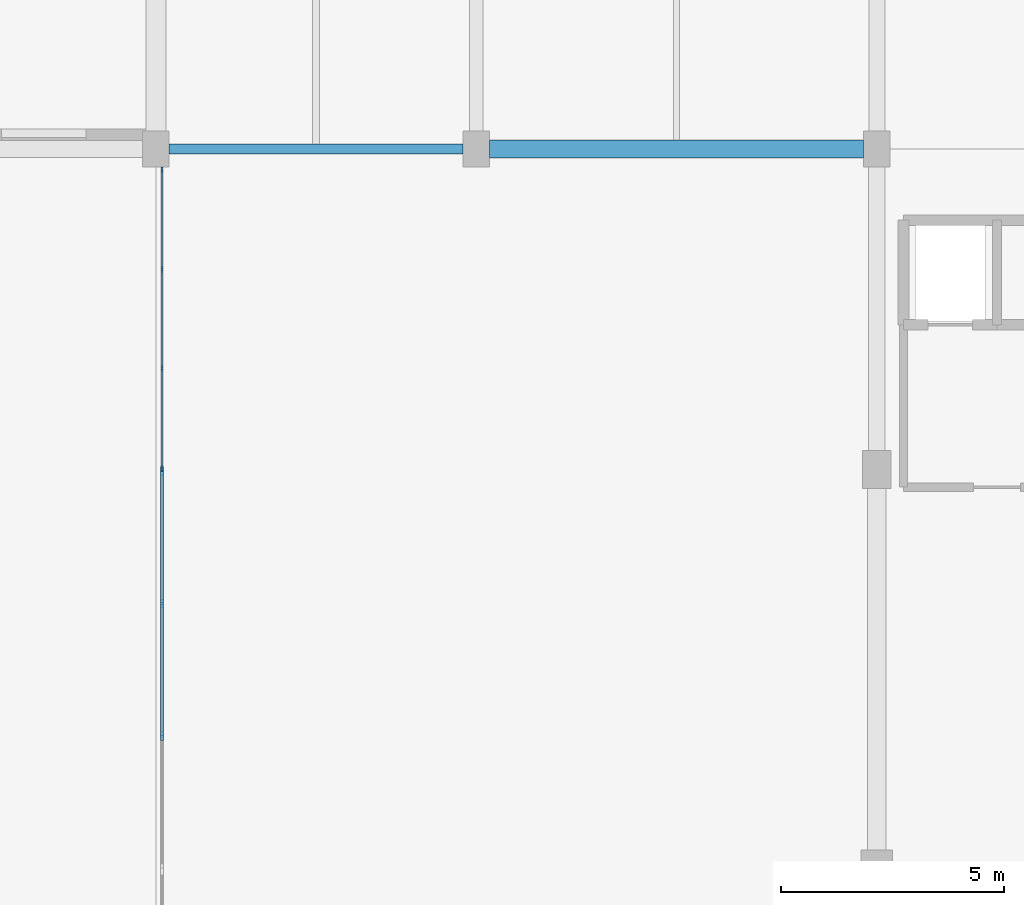
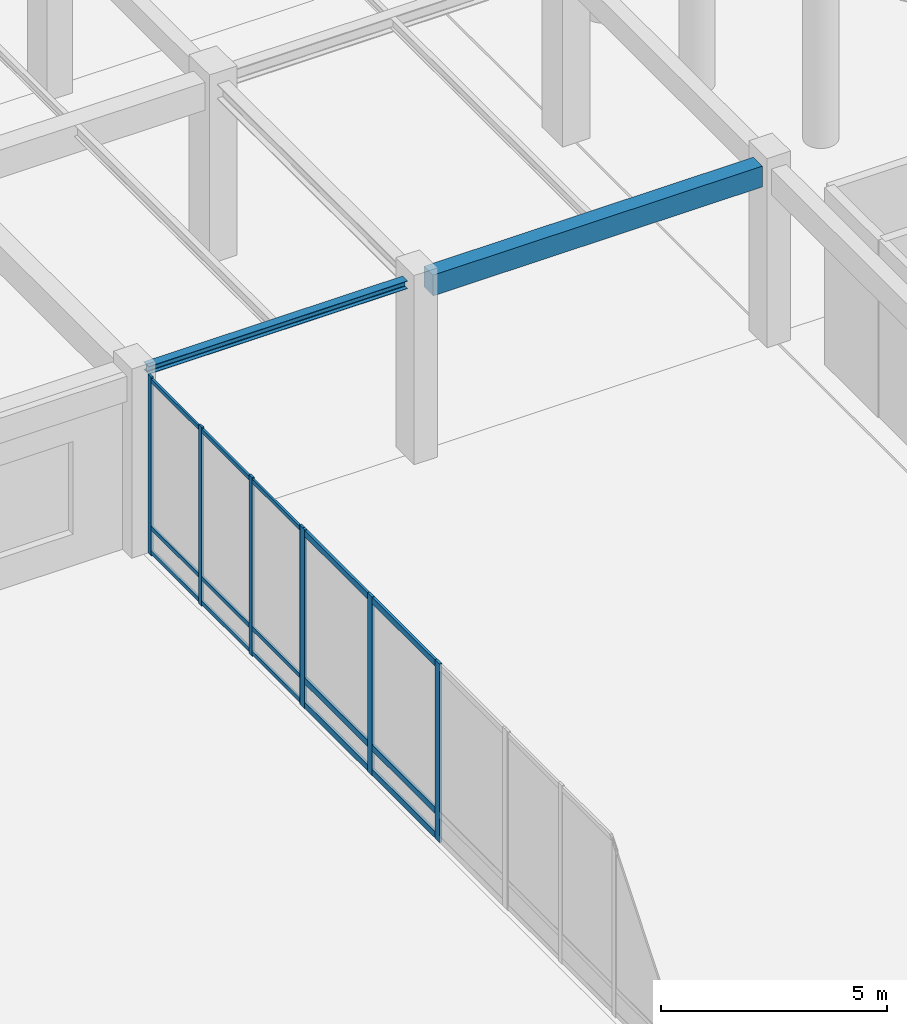
# One storey, part 15 of 64: 22 members, 2 beams, 2 elements without a shape of their own.
"""IFC4 building model written with IfcOpenShell, lengths in metres."""

from ifc_helpers import new_model, si_unit, direction, frame, origin, origin_2d, place, context, subcontext, project, spatial, rectangle, i_section, extrude, material, material_profile, profile_set, type_object, element, aggregate, save


model = new_model("IFC4")

# Units and contexts
model_context = context("Model", 3, precision=1e-05, world=origin(), true_north=direction((0.0, 1.0)))
body_context = subcontext(model_context, "Body", "Model", "MODEL_VIEW")
ifc_project = project(units=[si_unit("LENGTHUNIT", "METRE"), si_unit("AREAUNIT", "SQUARE_METRE"), si_unit("VOLUMEUNIT", "CUBIC_METRE"), si_unit("PLANEANGLEUNIT", "RADIAN"), si_unit("MASSUNIT", "GRAM", prefix="KILO")], contexts=[model_context])

# Site, building, storey
site_placement = place(None, origin())
site = spatial("IfcSite", under=ifc_project, at=site_placement, CompositionType="ELEMENT")
building_placement = place(site_placement, origin())
building = spatial("IfcBuilding", under=site, at=building_placement, Name="Clarverna Civic Hall", CompositionType="ELEMENT")
storey_placement = place(building_placement, origin())
storey = spatial("IfcBuildingStorey", under=building, at=storey_placement, Name="L00", CompositionType="ELEMENT", Elevation=0.0)

# Beams
ifc_material_1 = material(Name="Steel S355", Category="steel")
ifc_material_profile_1 = material_profile(ifc_material_1, i_section(OverallWidth=0.219970703125, OverallDepth=0.2099609375, WebThickness=0.007080078125, FlangeThickness=0.010986328125, FilletRadius=0.01806640625, at=origin_2d()), Name="HEA 220")
ifc_profile_set_1 = profile_set([ifc_material_profile_1], Name="Steel S355")
beam_type_1 = type_object("IfcBeamType", Name="B-LN1", PredefinedType="LINTEL", material=ifc_profile_set_1)
beam_1_placement = place(storey_placement, frame((50.699951171875, 46.39990234375, 4.675048828125), z_axis=(1.0, 0.0, 0.0), x_axis=(0.0, 1.0, 0.0)))
element("IfcBeam", 1, at=beam_1_placement, inside=storey, type_object=beam_type_1, Name="B-LN1-004", PredefinedType="LINTEL", context=body_context, shape_type="SweptSolid", body=[
    extrude(i_section(OverallWidth=0.219970703125, OverallDepth=0.2099609375, WebThickness=0.007080078125, FlangeThickness=0.010986328125, FilletRadius=0.01806640625, at=origin_2d()), origin(), (0.0, 0.0, 1.0), 6.60009765625),
])
ifc_material_2 = material(Name="Concrete C35/45", Category="concrete")
ifc_material_profile_2 = material_profile(ifc_material_2, rectangle(XDim=0.39990234375, YDim=0.56005859375, at=origin_2d()), Name="RC 400x560")
ifc_profile_set_2 = profile_set([ifc_material_profile_2], Name="Concrete C35/45")
beam_type_2 = type_object("IfcBeamType", Name="B-SP4", PredefinedType="SPANDREL", material=ifc_profile_set_2)
beam_2_placement = place(storey_placement, frame((57.89990234375, 46.39990234375, 4.5), z_axis=(1.0, 0.0, 0.0), x_axis=(0.0, 1.0, 0.0)))
element("IfcBeam", 2, at=beam_2_placement, inside=storey, type_object=beam_type_2, Name="B-SP4-036", PredefinedType="SPANDREL", context=body_context, shape_type="SweptSolid", body=[
    extrude(rectangle(XDim=0.39990234375, YDim=0.56005859375, at=origin_2d()), origin(), (0.0, 0.0, 1.0), 8.400146484375),
])

# Curtain wall, members
ifc_material_3 = material(Name="Anodised Bronze Architectural Aluminium", Category="aluminium")
curtain_wall_type = type_object("IfcCurtainWallType", Name="CW-04", PredefinedType="USERDEFINED", material=ifc_material_3)
curtain_wall_1_placement = place(storey_placement, origin())
curtain_wall_1 = element("IfcCurtainWall", 3, at=curtain_wall_1_placement, inside=storey, type_object=curtain_wall_type, Name="CW-04-012", ObjectType="UNITISED CURTAIN WALL", PredefinedType="USERDEFINED")
ifc_material_profile_3 = material_profile(ifc_material_3, rectangle(XDim=0.06494140625, YDim=0.199951171875, at=origin_2d()), Name="BRONZE 65x200")
ifc_profile_set_3 = profile_set([ifc_material_profile_3], Name="Anodised Bronze Architectural Aluminium")
member_type_1 = type_object("IfcMemberType", Name="CWM-03", PredefinedType="MULLION", material=ifc_profile_set_3)
member_1_placement = place(storey_placement, frame((50.5400390625, 33.2109375, 0.0), z_axis=(0.0, 0.0, 1.0), x_axis=(1.0, 0.0, 0.0)))
member_1 = element("IfcMember", 4, at=member_1_placement, type_object=member_type_1, Name="CWM-03-031", PredefinedType="MULLION", context=body_context, shape_type="SweptSolid", body=[
    extrude(rectangle(XDim=0.06494140625, YDim=0.199951171875, at=origin_2d()), origin(), (0.0, 0.0, 1.0), 4.820068359375),
])
member_2_placement = place(storey_placement, frame((50.5400390625, 36.18896484375, 0.0), z_axis=(0.0, 0.0, 1.0), x_axis=(1.0, 0.0, 0.0)))
member_2 = element("IfcMember", 5, at=member_2_placement, type_object=member_type_1, Name="CWM-03-032", PredefinedType="MULLION", context=body_context, shape_type="SweptSolid", body=[
    extrude(rectangle(XDim=0.06494140625, YDim=0.199951171875, at=origin_2d()), origin(), (0.0, 0.0, 1.0), 4.820068359375),
])
member_3_placement = place(storey_placement, frame((50.5400390625, 39.1669921875, 0.0), z_axis=(0.0, 0.0, 1.0), x_axis=(1.0, 0.0, 0.0)))
member_3 = element("IfcMember", 6, at=member_3_placement, type_object=member_type_1, Name="CWM-03-033", PredefinedType="MULLION", context=body_context, shape_type="SweptSolid", body=[
    extrude(rectangle(XDim=0.06494140625, YDim=0.199951171875, at=origin_2d()), origin(), (0.0, 0.0, 1.0), 4.820068359375),
])

curtain_wall_2_placement = place(storey_placement, origin())
curtain_wall_2 = element("IfcCurtainWall", 7, at=curtain_wall_2_placement, inside=storey, type_object=curtain_wall_type, Name="CW-04-013", ObjectType="UNITISED CURTAIN WALL", PredefinedType="USERDEFINED")
ifc_material_profile_4 = material_profile(ifc_material_3, rectangle(XDim=0.054931640625, YDim=0.139892578125, at=origin_2d()), Name="BRONZE 55x140")
ifc_profile_set_4 = profile_set([ifc_material_profile_4], Name="Anodised Bronze Architectural Aluminium")
member_type_2 = type_object("IfcMemberType", Name="CWM-04", PredefinedType="MULLION", material=ifc_profile_set_4)
member_4_placement = place(storey_placement, frame((50.5400390625, 39.23291015625, 0.0), z_axis=(0.0, 0.0, 1.0), x_axis=(1.0, 0.0, 0.0)))
member_4 = element("IfcMember", 8, at=member_4_placement, type_object=member_type_2, Name="CWM-04-031", PredefinedType="MULLION", context=body_context, shape_type="SweptSolid", body=[
    extrude(rectangle(XDim=0.054931640625, YDim=0.139892578125, at=origin_2d()), origin(), (0.0, 0.0, 1.0), 4.820068359375),
])
member_5_placement = place(storey_placement, frame((50.5400390625, 41.46435546875, 0.0), z_axis=(0.0, 0.0, 1.0), x_axis=(1.0, 0.0, 0.0)))
member_5 = element("IfcMember", 9, at=member_5_placement, type_object=member_type_2, Name="CWM-04-032", PredefinedType="MULLION", context=body_context, shape_type="SweptSolid", body=[
    extrude(rectangle(XDim=0.054931640625, YDim=0.139892578125, at=origin_2d()), origin(), (0.0, 0.0, 1.0), 4.820068359375),
])
member_6_placement = place(storey_placement, frame((50.5400390625, 43.69580078125, 0.0), z_axis=(0.0, 0.0, 1.0), x_axis=(1.0, 0.0, 0.0)))
member_6 = element("IfcMember", 10, at=member_6_placement, type_object=member_type_2, Name="CWM-04-033", PredefinedType="MULLION", context=body_context, shape_type="SweptSolid", body=[
    extrude(rectangle(XDim=0.054931640625, YDim=0.139892578125, at=origin_2d()), origin(), (0.0, 0.0, 1.0), 4.820068359375),
])
member_7_placement = place(storey_placement, frame((50.5400390625, 45.927001953125, 0.0), z_axis=(0.0, 0.0, 1.0), x_axis=(1.0, 0.0, 0.0)))
member_7 = element("IfcMember", 11, at=member_7_placement, type_object=member_type_2, Name="CWM-04-034", PredefinedType="MULLION", context=body_context, shape_type="SweptSolid", body=[
    extrude(rectangle(XDim=0.054931640625, YDim=0.139892578125, at=origin_2d()), origin(), (0.0, 0.0, 1.0), 4.820068359375),
])

# Member
ifc_material_profile_5 = material_profile(ifc_material_3, rectangle(XDim=0.06494140625, YDim=0.169921875, at=origin_2d()), Name="BRONZE 65x170")
ifc_profile_set_5 = profile_set([ifc_material_profile_5], Name="Anodised Bronze Architectural Aluminium")
member_type_3 = type_object("IfcMemberType", Name="CWT-03", PredefinedType="USERDEFINED", material=ifc_profile_set_5)
member_8_placement = place(storey_placement, frame((50.5400390625, 33.22607421875, 0.094970703125), z_axis=(0.0, 1.0, 0.0), x_axis=(-1.0, 0.0, 0.0)))
member_8 = element("IfcMember", 12, at=member_8_placement, type_object=member_type_3, Name="CWT-03-064", ObjectType="TRANSOM", PredefinedType="USERDEFINED", context=body_context, shape_type="SweptSolid", body=[
    extrude(rectangle(XDim=0.06494140625, YDim=0.169921875, at=origin_2d()), origin(), (0.0, 0.0, 1.0), 2.947998046875),
])

member_9_placement = place(storey_placement, frame((50.5400390625, 33.22607421875, 0.75), z_axis=(0.0, 1.0, 0.0), x_axis=(-1.0, 0.0, 0.0)))
member_9 = element("IfcMember", 13, at=member_9_placement, type_object=member_type_3, Name="CWT-03-065", ObjectType="TRANSOM", PredefinedType="USERDEFINED", context=body_context, shape_type="SweptSolid", body=[
    extrude(rectangle(XDim=0.06494140625, YDim=0.169921875, at=origin_2d()), origin(), (0.0, 0.0, 1.0), 2.947998046875),
])

member_10_placement = place(storey_placement, frame((50.5400390625, 33.22607421875, 4.72509765625), z_axis=(0.0, 1.0, 0.0), x_axis=(-1.0, 0.0, 0.0)))
member_10 = element("IfcMember", 14, at=member_10_placement, type_object=member_type_3, Name="CWT-03-066", ObjectType="TRANSOM", PredefinedType="USERDEFINED", context=body_context, shape_type="SweptSolid", body=[
    extrude(rectangle(XDim=0.06494140625, YDim=0.169921875, at=origin_2d()), origin(), (0.0, 0.0, 1.0), 2.947998046875),
])

member_11_placement = place(storey_placement, frame((50.5400390625, 36.2041015625, 0.094970703125), z_axis=(0.0, 1.0, 0.0), x_axis=(-1.0, 0.0, 0.0)))
member_11 = element("IfcMember", 15, at=member_11_placement, type_object=member_type_3, Name="CWT-03-067", ObjectType="TRANSOM", PredefinedType="USERDEFINED", context=body_context, shape_type="SweptSolid", body=[
    extrude(rectangle(XDim=0.06494140625, YDim=0.169921875, at=origin_2d()), origin(), (0.0, 0.0, 1.0), 2.947998046875),
])

member_12_placement = place(storey_placement, frame((50.5400390625, 36.2041015625, 0.75), z_axis=(0.0, 1.0, 0.0), x_axis=(-1.0, 0.0, 0.0)))
member_12 = element("IfcMember", 16, at=member_12_placement, type_object=member_type_3, Name="CWT-03-068", ObjectType="TRANSOM", PredefinedType="USERDEFINED", context=body_context, shape_type="SweptSolid", body=[
    extrude(rectangle(XDim=0.06494140625, YDim=0.169921875, at=origin_2d()), origin(), (0.0, 0.0, 1.0), 2.947998046875),
])

member_13_placement = place(storey_placement, frame((50.5400390625, 36.2041015625, 4.72509765625), z_axis=(0.0, 1.0, 0.0), x_axis=(-1.0, 0.0, 0.0)))
member_13 = element("IfcMember", 17, at=member_13_placement, type_object=member_type_3, Name="CWT-03-069", ObjectType="TRANSOM", PredefinedType="USERDEFINED", context=body_context, shape_type="SweptSolid", body=[
    extrude(rectangle(XDim=0.06494140625, YDim=0.169921875, at=origin_2d()), origin(), (0.0, 0.0, 1.0), 2.947998046875),
])

aggregate(curtain_wall_1, [member_1, member_2, member_3, member_8, member_9, member_10, member_11, member_12, member_13])

ifc_material_profile_6 = material_profile(ifc_material_3, rectangle(XDim=0.054931640625, YDim=0.110107421875, at=origin_2d()), Name="BRONZE 55x110")
ifc_profile_set_6 = profile_set([ifc_material_profile_6], Name="Anodised Bronze Architectural Aluminium")
member_type_4 = type_object("IfcMemberType", Name="CWT-04", PredefinedType="USERDEFINED", material=ifc_profile_set_6)
member_14_placement = place(storey_placement, frame((50.5400390625, 39.248046875, 0.094970703125), z_axis=(0.0, 1.0, 0.0), x_axis=(-1.0, 0.0, 0.0)))
member_14 = element("IfcMember", 18, at=member_14_placement, type_object=member_type_4, Name="CWT-04-064", ObjectType="TRANSOM", PredefinedType="USERDEFINED", context=body_context, shape_type="SweptSolid", body=[
    extrude(rectangle(XDim=0.054931640625, YDim=0.110107421875, at=origin_2d()), origin(), (0.0, 0.0, 1.0), 2.201171875),
])

member_15_placement = place(storey_placement, frame((50.5400390625, 39.248046875, 0.75), z_axis=(0.0, 1.0, 0.0), x_axis=(-1.0, 0.0, 0.0)))
member_15 = element("IfcMember", 19, at=member_15_placement, type_object=member_type_4, Name="CWT-04-065", ObjectType="TRANSOM", PredefinedType="USERDEFINED", context=body_context, shape_type="SweptSolid", body=[
    extrude(rectangle(XDim=0.054931640625, YDim=0.110107421875, at=origin_2d()), origin(), (0.0, 0.0, 1.0), 2.201171875),
])

member_16_placement = place(storey_placement, frame((50.5400390625, 39.248046875, 4.72509765625), z_axis=(0.0, 1.0, 0.0), x_axis=(-1.0, 0.0, 0.0)))
member_16 = element("IfcMember", 20, at=member_16_placement, type_object=member_type_4, Name="CWT-04-066", ObjectType="TRANSOM", PredefinedType="USERDEFINED", context=body_context, shape_type="SweptSolid", body=[
    extrude(rectangle(XDim=0.054931640625, YDim=0.110107421875, at=origin_2d()), origin(), (0.0, 0.0, 1.0), 2.201171875),
])

member_17_placement = place(storey_placement, frame((50.5400390625, 41.479248046875, 0.094970703125), z_axis=(0.0, 1.0, 0.0), x_axis=(-1.0, 0.0, 0.0)))
member_17 = element("IfcMember", 21, at=member_17_placement, type_object=member_type_4, Name="CWT-04-067", ObjectType="TRANSOM", PredefinedType="USERDEFINED", context=body_context, shape_type="SweptSolid", body=[
    extrude(rectangle(XDim=0.054931640625, YDim=0.110107421875, at=origin_2d()), origin(), (0.0, 0.0, 1.0), 2.201416015625),
])

member_18_placement = place(storey_placement, frame((50.5400390625, 41.479248046875, 0.75), z_axis=(0.0, 1.0, 0.0), x_axis=(-1.0, 0.0, 0.0)))
member_18 = element("IfcMember", 22, at=member_18_placement, type_object=member_type_4, Name="CWT-04-068", ObjectType="TRANSOM", PredefinedType="USERDEFINED", context=body_context, shape_type="SweptSolid", body=[
    extrude(rectangle(XDim=0.054931640625, YDim=0.110107421875, at=origin_2d()), origin(), (0.0, 0.0, 1.0), 2.201416015625),
])

member_19_placement = place(storey_placement, frame((50.5400390625, 41.479248046875, 4.72509765625), z_axis=(0.0, 1.0, 0.0), x_axis=(-1.0, 0.0, 0.0)))
member_19 = element("IfcMember", 23, at=member_19_placement, type_object=member_type_4, Name="CWT-04-069", ObjectType="TRANSOM", PredefinedType="USERDEFINED", context=body_context, shape_type="SweptSolid", body=[
    extrude(rectangle(XDim=0.054931640625, YDim=0.110107421875, at=origin_2d()), origin(), (0.0, 0.0, 1.0), 2.201416015625),
])

member_20_placement = place(storey_placement, frame((50.5400390625, 43.710693359375, 0.094970703125), z_axis=(0.0, 1.0, 0.0), x_axis=(-1.0, 0.0, 0.0)))
member_20 = element("IfcMember", 24, at=member_20_placement, type_object=member_type_4, Name="CWT-04-070", ObjectType="TRANSOM", PredefinedType="USERDEFINED", context=body_context, shape_type="SweptSolid", body=[
    extrude(rectangle(XDim=0.054931640625, YDim=0.110107421875, at=origin_2d()), origin(), (0.0, 0.0, 1.0), 2.201416015625),
])

member_21_placement = place(storey_placement, frame((50.5400390625, 43.710693359375, 0.75), z_axis=(0.0, 1.0, 0.0), x_axis=(-1.0, 0.0, 0.0)))
member_21 = element("IfcMember", 25, at=member_21_placement, type_object=member_type_4, Name="CWT-04-071", ObjectType="TRANSOM", PredefinedType="USERDEFINED", context=body_context, shape_type="SweptSolid", body=[
    extrude(rectangle(XDim=0.054931640625, YDim=0.110107421875, at=origin_2d()), origin(), (0.0, 0.0, 1.0), 2.201416015625),
])

member_22_placement = place(storey_placement, frame((50.5400390625, 43.710693359375, 4.72509765625), z_axis=(0.0, 1.0, 0.0), x_axis=(-1.0, 0.0, 0.0)))
member_22 = element("IfcMember", 26, at=member_22_placement, type_object=member_type_4, Name="CWT-04-072", ObjectType="TRANSOM", PredefinedType="USERDEFINED", context=body_context, shape_type="SweptSolid", body=[
    extrude(rectangle(XDim=0.054931640625, YDim=0.110107421875, at=origin_2d()), origin(), (0.0, 0.0, 1.0), 2.201416015625),
])

aggregate(curtain_wall_2, [member_4, member_5, member_6, member_7, member_14, member_15, member_16, member_17, member_18, member_19, member_20, member_21, member_22])

save(model, "model.ifc")
